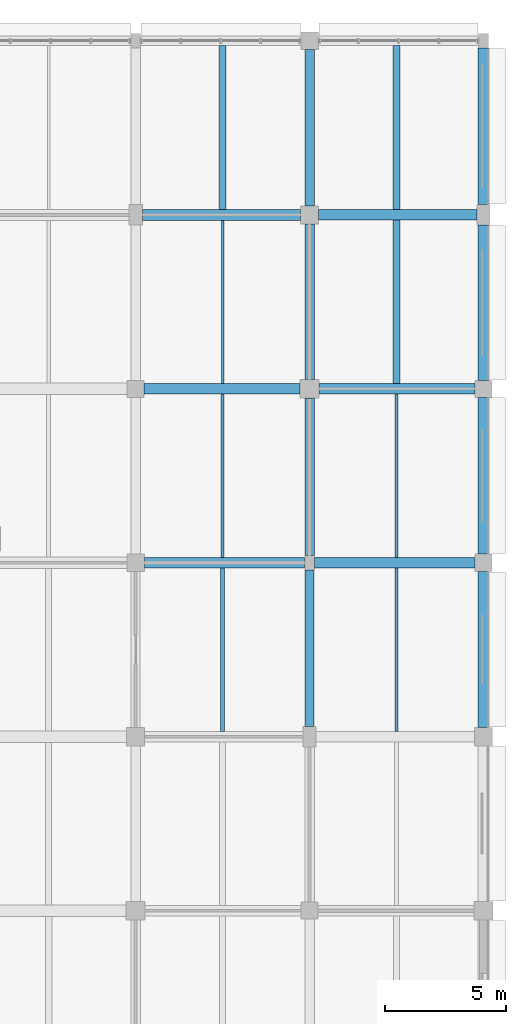
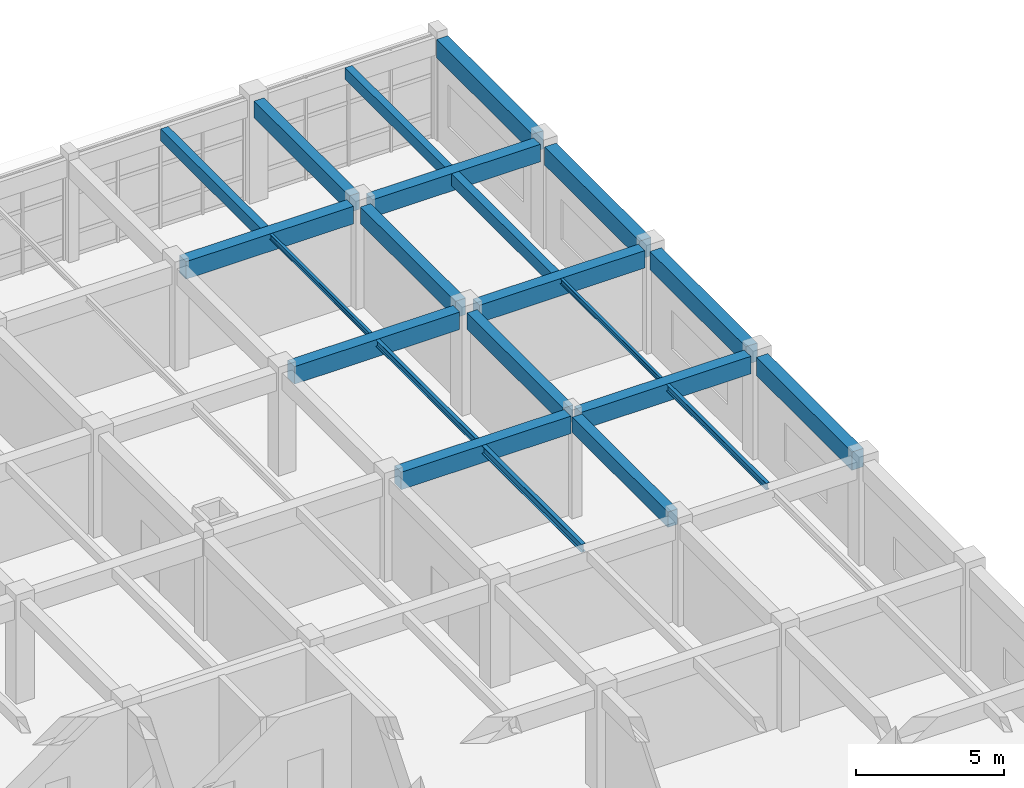
# One storey, part 115 of 171: 22 beams.
"""IFC4 building model written with IfcOpenShell, lengths in metres."""

from ifc_helpers import new_model, si_unit, direction, frame, origin, origin_2d, place, context, subcontext, project, spatial, rectangle, i_section, extrude, material, material_profile, profile_set, type_object, element, save


model = new_model("IFC4")

# Units and contexts
model_context = context("Model", 3, precision=1e-05, world=origin(), true_north=direction((0.0, 1.0)))
body_context = subcontext(model_context, "Body", "Model", "MODEL_VIEW")
ifc_project = project(units=[si_unit("LENGTHUNIT", "METRE"), si_unit("AREAUNIT", "SQUARE_METRE"), si_unit("VOLUMEUNIT", "CUBIC_METRE"), si_unit("PLANEANGLEUNIT", "RADIAN"), si_unit("MASSUNIT", "GRAM", prefix="KILO")], contexts=[model_context])

# Site, building, storey
site_placement = place(None, origin())
site = spatial("IfcSite", under=ifc_project, at=site_placement, CompositionType="ELEMENT")
building_placement = place(site_placement, origin())
building = spatial("IfcBuilding", under=site, at=building_placement, Name="Thalmaran Polytechnic", CompositionType="ELEMENT")
storey_placement = place(building_placement, frame((0.0, 0.0, 5.39990234375)))
storey = spatial("IfcBuildingStorey", under=building, at=storey_placement, Name="L01", CompositionType="ELEMENT", Elevation=5.39990234375)

# Beams
ifc_material_1 = material(Name="Concrete C40/50", Category="concrete")
ifc_material_profile_1 = material_profile(ifc_material_1, rectangle(XDim=0.449951171875, YDim=0.72509765625, at=origin_2d()), Name="RC 450x725")
ifc_profile_set_1 = profile_set([ifc_material_profile_1], Name="Concrete C40/50")
beam_type_1 = type_object("IfcBeamType", Name="BM-RC04", PredefinedType="BEAM", material=ifc_profile_set_1)
beam_1_placement = place(storey_placement, frame((158.760009765625, 100.800048828125, 3.84765625), z_axis=(1.0, 0.0, 0.0), x_axis=(0.0, 1.0, 0.0)))
element("IfcBeam", 1, at=beam_1_placement, inside=storey, type_object=beam_type_1, Name="Grid Beam B04 L01 X(22,14)", PredefinedType="BEAM", context=body_context, shape_type="SweptSolid", body=[
    extrude(rectangle(XDim=0.449951171875, YDim=0.72509765625, at=origin_2d()), origin(), (0.0, 0.0, 1.0), 6.639892578125),
])
beam_2_placement = place(storey_placement, frame((158.75, 108.0, 3.84765625), z_axis=(1.0, 0.0, 0.0), x_axis=(0.0, 1.0, 0.0)))
element("IfcBeam", 2, at=beam_2_placement, inside=storey, type_object=beam_type_1, Name="Grid Beam B04 L01 X(22,15)", PredefinedType="BEAM", context=body_context, shape_type="SweptSolid", body=[
    extrude(rectangle(XDim=0.449951171875, YDim=0.72509765625, at=origin_2d()), origin(), (0.0, 0.0, 1.0), 6.4599609375),
])
beam_3_placement = place(storey_placement, frame((158.675048828125, 115.199951171875, 3.84765625), z_axis=(1.0, 0.0, 0.0), x_axis=(0.0, 1.0, 0.0)))
element("IfcBeam", 3, at=beam_3_placement, inside=storey, type_object=beam_type_1, Name="Grid Beam B04 L01 X(22,16)", PredefinedType="BEAM", context=body_context, shape_type="SweptSolid", body=[
    extrude(rectangle(XDim=0.449951171875, YDim=0.72509765625, at=origin_2d()), origin(), (0.0, 0.0, 1.0), 6.550048828125),
])
ifc_material_profile_2 = material_profile(ifc_material_1, rectangle(XDim=0.389892578125, YDim=0.68505859375, at=origin_2d()), Name="RC 390x685")
ifc_profile_set_2 = profile_set([ifc_material_profile_2], Name="Concrete C40/50")
beam_type_2 = type_object("IfcBeamType", Name="BM-RC08", PredefinedType="BEAM", material=ifc_profile_set_2)
beam_4_placement = place(storey_placement, frame((165.60009765625, 101.10009765625, 3.86767578125), z_axis=(0.0, 1.0, 0.0), x_axis=(-1.0, 0.0, 0.0)))
element("IfcBeam", 4, at=beam_4_placement, inside=storey, type_object=beam_type_2, Name="Grid Beam B08 L01 Y(23,14)", PredefinedType="BEAM", context=body_context, shape_type="SweptSolid", body=[
    extrude(rectangle(XDim=0.389892578125, YDim=0.68505859375, at=origin_2d()), origin(), (0.0, 0.0, 1.0), 6.510009765625),
])
ifc_material_profile_3 = material_profile(ifc_material_1, rectangle(XDim=0.389892578125, YDim=0.68994140625, at=origin_2d()), Name="RC 390x690")
ifc_profile_set_3 = profile_set([ifc_material_profile_3], Name="Concrete C40/50")
beam_type_3 = type_object("IfcBeamType", Name="BM-RC09", PredefinedType="BEAM", material=ifc_profile_set_3)
beam_5_placement = place(storey_placement, frame((165.60009765625, 115.574951171875, 3.864990234375), z_axis=(0.0, 1.0, 0.0), x_axis=(-1.0, 0.0, 0.0)))
element("IfcBeam", 5, at=beam_5_placement, inside=storey, type_object=beam_type_3, Name="Grid Beam B09 L01 Y(23,16)", PredefinedType="BEAM", context=body_context, shape_type="SweptSolid", body=[
    extrude(rectangle(XDim=0.389892578125, YDim=0.68994140625, at=origin_2d()), origin(), (0.0, 0.0, 1.0), 6.465087890625),
])
ifc_material_profile_4 = material_profile(ifc_material_1, rectangle(XDim=0.300048828125, YDim=0.5, at=origin_2d()), Name="RC 300x500")
ifc_profile_set_4 = profile_set([ifc_material_profile_4], Name="Concrete C40/50")
beam_type_4 = type_object("IfcBeamType", Name="BM-RC11", PredefinedType="JOIST", material=ifc_profile_set_4)
beam_6_placement = place(storey_placement, frame((162.0, 115.425048828125, 3.960205078125), z_axis=(0.0, 1.0, 0.0), x_axis=(-1.0, 0.0, 0.0)))
element("IfcBeam", 6, at=beam_6_placement, inside=storey, type_object=beam_type_4, Name="Secondary Floor Rib RB01 L01 (22,16)", PredefinedType="JOIST", context=body_context, shape_type="SweptSolid", body=[
    extrude(rectangle(XDim=0.300048828125, YDim=0.5, at=origin_2d()), origin(), (0.0, 0.0, 1.0), 6.77490234375),
])
beam_7_placement = place(storey_placement, frame((169.199951171875, 108.219970703125, 3.960205078125), z_axis=(0.0, 1.0, 0.0), x_axis=(-1.0, 0.0, 0.0)))
element("IfcBeam", 7, at=beam_7_placement, inside=storey, type_object=beam_type_4, Name="Secondary Floor Rib RB01 L01 (23,15)", PredefinedType="JOIST", context=body_context, shape_type="SweptSolid", body=[
    extrude(rectangle(XDim=0.300048828125, YDim=0.5, at=origin_2d()), origin(), (0.0, 0.0, 1.0), 6.760009765625),
])
ifc_material_2 = material(Name="Steel S355", Category="steel")
ifc_material_profile_5 = material_profile(ifc_material_2, i_section(OverallWidth=0.159912109375, OverallDepth=0.330078125, WebThickness=0.007568359375, FlangeThickness=0.011474609375, at=origin_2d()), Name="IPE 330")
ifc_profile_set_5 = profile_set([ifc_material_profile_5], Name="Steel S355")
beam_type_5 = type_object("IfcBeamType", Name="BM-SJ02", PredefinedType="JOIST", material=ifc_profile_set_5)
beam_8_placement = place(storey_placement, frame((162.0, 93.824951171875, 4.045166015625), z_axis=(0.0, 1.0, 0.0), x_axis=(-1.0, 0.0, 0.0)))
element("IfcBeam", 8, at=beam_8_placement, inside=storey, type_object=beam_type_5, Name="Secondary Floor Rib SJ02 L01 (22,13)", PredefinedType="JOIST", context=body_context, shape_type="SweptSolid", body=[
    extrude(i_section(OverallWidth=0.159912109375, OverallDepth=0.330078125, WebThickness=0.007568359375, FlangeThickness=0.011474609375, at=origin_2d()), origin(), (0.0, 0.0, 1.0), 6.75),
])
ifc_material_profile_6 = material_profile(ifc_material_2, i_section(OverallWidth=0.135009765625, OverallDepth=0.27001953125, WebThickness=0.006591796875, FlangeThickness=0.01025390625, at=origin_2d()), Name="IPE 270")
ifc_profile_set_6 = profile_set([ifc_material_profile_6], Name="Steel S355")
beam_type_6 = type_object("IfcBeamType", Name="BM-SJ03", PredefinedType="JOIST", material=ifc_profile_set_6)
beam_9_placement = place(storey_placement, frame((162.0, 101.02490234375, 4.0751953125), z_axis=(0.0, 1.0, 0.0), x_axis=(-1.0, 0.0, 0.0)))
element("IfcBeam", 9, at=beam_9_placement, inside=storey, type_object=beam_type_6, Name="Secondary Floor Rib SJ03 L01 (22,14)", PredefinedType="JOIST", context=body_context, shape_type="SweptSolid", body=[
    extrude(i_section(OverallWidth=0.135009765625, OverallDepth=0.27001953125, WebThickness=0.006591796875, FlangeThickness=0.01025390625, at=origin_2d()), origin(), (0.0, 0.0, 1.0), 6.75),
])
beam_10_placement = place(storey_placement, frame((169.199951171875, 93.820068359375, 4.0751953125), z_axis=(0.0, 1.0, 0.0), x_axis=(-1.0, 0.0, 0.0)))
element("IfcBeam", 10, at=beam_10_placement, inside=storey, type_object=beam_type_6, Name="Secondary Floor Rib SJ03 L01 (23,13)", PredefinedType="JOIST", context=body_context, shape_type="SweptSolid", body=[
    extrude(i_section(OverallWidth=0.135009765625, OverallDepth=0.27001953125, WebThickness=0.006591796875, FlangeThickness=0.01025390625, at=origin_2d()), origin(), (0.0, 0.0, 1.0), 6.760009765625),
])
ifc_material_profile_7 = material_profile(ifc_material_2, i_section(OverallWidth=0.110107421875, OverallDepth=0.219970703125, WebThickness=0.005859375, FlangeThickness=0.00927734375, at=origin_2d()), Name="IPE 220")
ifc_profile_set_7 = profile_set([ifc_material_profile_7], Name="Steel S355")
beam_type_7 = type_object("IfcBeamType", Name="BM-SJ04", PredefinedType="JOIST", material=ifc_profile_set_7)
beam_11_placement = place(storey_placement, frame((162.0, 108.22509765625, 4.10009765625), z_axis=(0.0, 1.0, 0.0), x_axis=(-1.0, 0.0, 0.0)))
element("IfcBeam", 11, at=beam_11_placement, inside=storey, type_object=beam_type_7, Name="Secondary Floor Rib SJ04 L01 (22,15)", PredefinedType="JOIST", context=body_context, shape_type="SweptSolid", body=[
    extrude(i_section(OverallWidth=0.110107421875, OverallDepth=0.219970703125, WebThickness=0.005859375, FlangeThickness=0.00927734375, at=origin_2d()), origin(), (0.0, 0.0, 1.0), 6.75),
])
beam_12_placement = place(storey_placement, frame((169.199951171875, 101.02001953125, 4.10009765625), z_axis=(0.0, 1.0, 0.0), x_axis=(-1.0, 0.0, 0.0)))
element("IfcBeam", 12, at=beam_12_placement, inside=storey, type_object=beam_type_7, Name="Secondary Floor Rib SJ04 L01 (23,14)", PredefinedType="JOIST", context=body_context, shape_type="SweptSolid", body=[
    extrude(i_section(OverallWidth=0.110107421875, OverallDepth=0.219970703125, WebThickness=0.005859375, FlangeThickness=0.00927734375, at=origin_2d()), origin(), (0.0, 0.0, 1.0), 6.760009765625),
])
ifc_material_profile_8 = material_profile(ifc_material_1, rectangle(XDim=0.449951171875, YDim=0.7548828125, at=origin_2d()), Name="RC 450x755")
ifc_profile_set_8 = profile_set([ifc_material_profile_8], Name="Concrete C40/50")
beam_type_8 = type_object("IfcBeamType", Name="BM-SP02", PredefinedType="SPANDREL", material=ifc_profile_set_8)
beam_13_placement = place(storey_placement, frame((172.800048828125, 93.97509765625, 3.83251953125), z_axis=(0.0, 1.0, 0.0), x_axis=(-1.0, 0.0, 0.0)))
element("IfcBeam", 13, at=beam_13_placement, inside=storey, type_object=beam_type_8, Name="Grid Beam SP02 L01 Y(24,13)", PredefinedType="SPANDREL", context=body_context, shape_type="SweptSolid", body=[
    extrude(rectangle(XDim=0.449951171875, YDim=0.7548828125, at=origin_2d()), origin(), (0.0, 0.0, 1.0), 6.46484375),
])
beam_14_placement = place(storey_placement, frame((172.800048828125, 101.159912109375, 3.83251953125), z_axis=(0.0, 1.0, 0.0), x_axis=(-1.0, 0.0, 0.0)))
element("IfcBeam", 14, at=beam_14_placement, inside=storey, type_object=beam_type_8, Name="Grid Beam SP02 L01 Y(24,14)", PredefinedType="SPANDREL", context=body_context, shape_type="SweptSolid", body=[
    extrude(rectangle(XDim=0.449951171875, YDim=0.7548828125, at=origin_2d()), origin(), (0.0, 0.0, 1.0), 6.489990234375),
])
beam_15_placement = place(storey_placement, frame((172.800048828125, 108.35009765625, 3.83251953125), z_axis=(0.0, 1.0, 0.0), x_axis=(-1.0, 0.0, 0.0)))
element("IfcBeam", 15, at=beam_15_placement, inside=storey, type_object=beam_type_8, Name="Grid Beam SP02 L01 Y(24,15)", PredefinedType="SPANDREL", context=body_context, shape_type="SweptSolid", body=[
    extrude(rectangle(XDim=0.449951171875, YDim=0.7548828125, at=origin_2d()), origin(), (0.0, 0.0, 1.0), 6.4248046875),
])
beam_16_placement = place(storey_placement, frame((172.800048828125, 115.625, 3.83251953125), z_axis=(0.0, 1.0, 0.0), x_axis=(-1.0, 0.0, 0.0)))
element("IfcBeam", 16, at=beam_16_placement, inside=storey, type_object=beam_type_8, Name="Grid Beam SP02 L01 Y(24,16)", PredefinedType="SPANDREL", context=body_context, shape_type="SweptSolid", body=[
    extrude(rectangle(XDim=0.449951171875, YDim=0.7548828125, at=origin_2d()), origin(), (0.0, 0.0, 1.0), 6.47509765625),
])
ifc_material_profile_9 = material_profile(ifc_material_1, rectangle(XDim=0.43994140625, YDim=0.719970703125, at=origin_2d()), Name="RC 440x720")
ifc_profile_set_9 = profile_set([ifc_material_profile_9], Name="Concrete C40/50")
beam_type_9 = type_object("IfcBeamType", Name="BM-ZB03", PredefinedType="BEAM", material=ifc_profile_set_9)
beam_17_placement = place(storey_placement, frame((165.800048828125, 100.800048828125, 3.85009765625), z_axis=(1.0, 0.0, 0.0), x_axis=(0.0, 1.0, 0.0)))
element("IfcBeam", 17, at=beam_17_placement, inside=storey, type_object=beam_type_9, Name="Grid Beam ZB03 L01 X(23,14)", PredefinedType="BEAM", context=body_context, shape_type="SweptSolid", body=[
    extrude(rectangle(XDim=0.43994140625, YDim=0.719970703125, at=origin_2d()), origin(), (0.0, 0.0, 1.0), 6.639892578125),
])
beam_18_placement = place(storey_placement, frame((165.989990234375, 108.0, 3.85009765625), z_axis=(1.0, 0.0, 0.0), x_axis=(0.0, 1.0, 0.0)))
element("IfcBeam", 18, at=beam_18_placement, inside=storey, type_object=beam_type_9, Name="Grid Beam ZB03 L01 X(23,15)", PredefinedType="BEAM", context=body_context, shape_type="SweptSolid", body=[
    extrude(rectangle(XDim=0.43994140625, YDim=0.719970703125, at=origin_2d()), origin(), (0.0, 0.0, 1.0), 6.4599609375),
])
beam_19_placement = place(storey_placement, frame((165.97509765625, 115.199951171875, 3.85009765625), z_axis=(1.0, 0.0, 0.0), x_axis=(0.0, 1.0, 0.0)))
element("IfcBeam", 19, at=beam_19_placement, inside=storey, type_object=beam_type_9, Name="Grid Beam ZB03 L01 X(23,16)", PredefinedType="BEAM", context=body_context, shape_type="SweptSolid", body=[
    extrude(rectangle(XDim=0.43994140625, YDim=0.719970703125, at=origin_2d()), origin(), (0.0, 0.0, 1.0), 6.5498046875),
])
ifc_material_profile_10 = material_profile(ifc_material_1, rectangle(XDim=0.3798828125, YDim=0.635009765625, at=origin_2d()), Name="RC 380x635")
ifc_profile_set_10 = profile_set([ifc_material_profile_10], Name="Concrete C40/50")
beam_type_10 = type_object("IfcBeamType", Name="BM-ZB06", PredefinedType="BEAM", material=ifc_profile_set_10)
beam_20_placement = place(storey_placement, frame((165.60009765625, 94.02490234375, 3.892578125), z_axis=(0.0, 1.0, 0.0), x_axis=(-1.0, 0.0, 0.0)))
element("IfcBeam", 20, at=beam_20_placement, inside=storey, type_object=beam_type_10, Name="Grid Beam ZB06 L01 Y(23,13)", PredefinedType="BEAM", context=body_context, shape_type="SweptSolid", body=[
    extrude(rectangle(XDim=0.3798828125, YDim=0.635009765625, at=origin_2d()), origin(), (0.0, 0.0, 1.0), 6.47509765625),
])
ifc_material_profile_11 = material_profile(ifc_material_1, rectangle(XDim=0.39990234375, YDim=0.68505859375, at=origin_2d()), Name="RC 400x685")
ifc_profile_set_11 = profile_set([ifc_material_profile_11], Name="Concrete C40/50")
beam_type_11 = type_object("IfcBeamType", Name="BM-ZB07", PredefinedType="BEAM", material=ifc_profile_set_11)
beam_21_placement = place(storey_placement, frame((165.60009765625, 108.389892578125, 3.86767578125), z_axis=(0.0, 1.0, 0.0), x_axis=(-1.0, 0.0, 0.0)))
element("IfcBeam", 21, at=beam_21_placement, inside=storey, type_object=beam_type_11, Name="Grid Beam ZB07 L01 Y(23,15)", PredefinedType="BEAM", context=body_context, shape_type="SweptSolid", body=[
    extrude(rectangle(XDim=0.39990234375, YDim=0.68505859375, at=origin_2d()), origin(), (0.0, 0.0, 1.0), 6.43505859375),
])
ifc_material_profile_12 = material_profile(ifc_material_1, rectangle(XDim=0.280029296875, YDim=0.47998046875, at=origin_2d()), Name="RC 280x480")
ifc_profile_set_12 = profile_set([ifc_material_profile_12], Name="Concrete C40/50")
beam_type_12 = type_object("IfcBeamType", Name="BM-ZJ01", PredefinedType="JOIST", material=ifc_profile_set_12)
beam_22_placement = place(storey_placement, frame((169.199951171875, 115.419921875, 3.97021484375), z_axis=(0.0, 1.0, 0.0), x_axis=(-1.0, 0.0, 0.0)))
element("IfcBeam", 22, at=beam_22_placement, inside=storey, type_object=beam_type_12, Name="Secondary Floor Rib ZJ01 L01 (23,16)", PredefinedType="JOIST", context=body_context, shape_type="SweptSolid", body=[
    extrude(rectangle(XDim=0.280029296875, YDim=0.47998046875, at=origin_2d()), origin(), (0.0, 0.0, 1.0), 6.780029296875),
])

save(model, "model.ifc")
